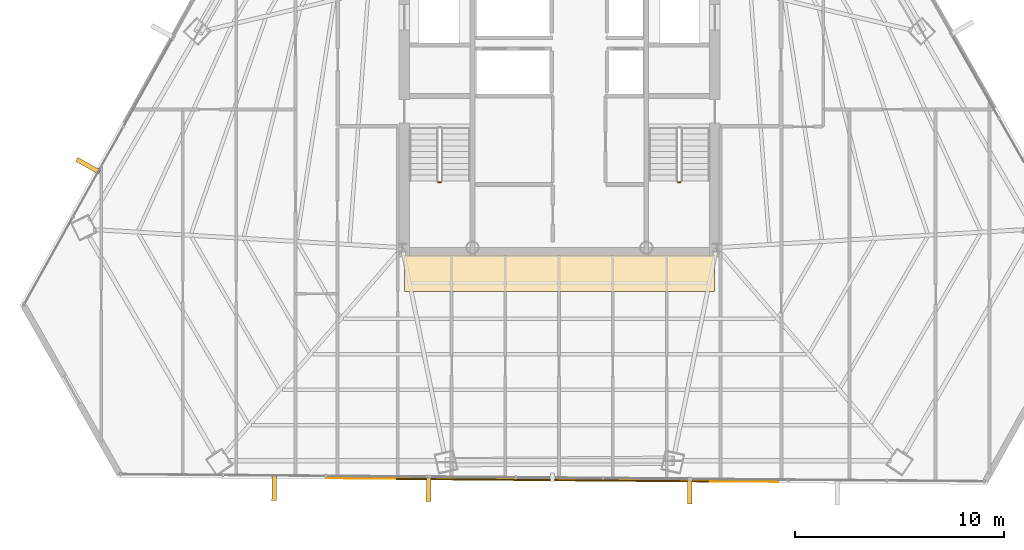
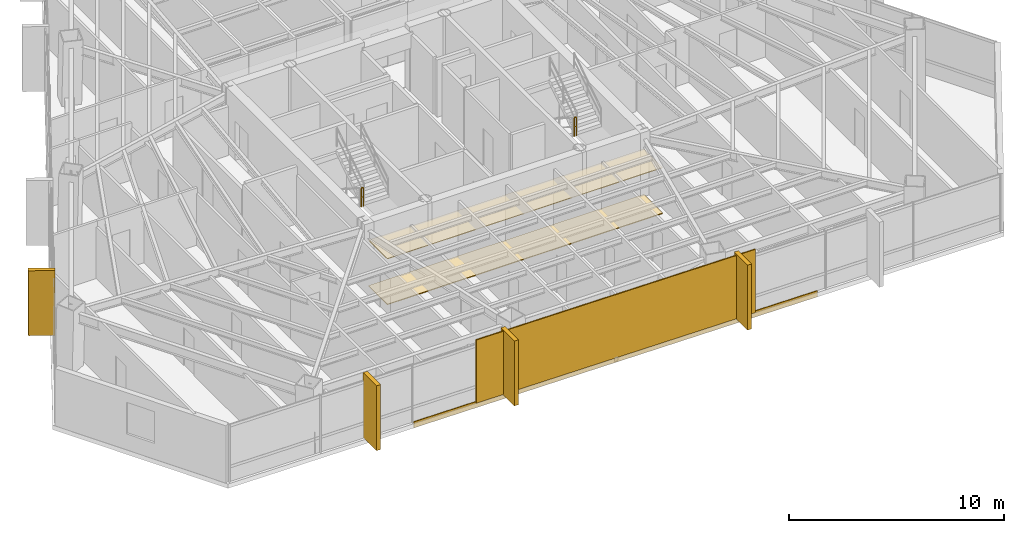
# One storey, part 38 of 40: 7 coverings, 2 railings, 1 shading device.
"""IFC4 building model written with IfcOpenShell, lengths in metres."""

from ifc_helpers import new_model, si_unit, direction, frame, origin, origin_2d, place, context, subcontext, project, spatial, polyline, rectangle, outline, extrude, source, transform, mapped, material, layer, layer_set, type_object, type_shapes, element, save


model = new_model("IFC4")

# Units and contexts
model_context = context("Model", 3, precision=1e-05, world=origin(), true_north=direction((0.0, 1.0)))
body_context = subcontext(model_context, "Body", "Model", "MODEL_VIEW")
ifc_project = project(units=[si_unit("LENGTHUNIT", "METRE"), si_unit("AREAUNIT", "SQUARE_METRE"), si_unit("VOLUMEUNIT", "CUBIC_METRE"), si_unit("PLANEANGLEUNIT", "RADIAN"), si_unit("MASSUNIT", "GRAM", prefix="KILO")], contexts=[model_context])

# Site, building, storey
site_placement = place(None, origin())
site = spatial("IfcSite", under=ifc_project, at=site_placement, CompositionType="ELEMENT")
building_placement = place(site_placement, origin())
building = spatial("IfcBuilding", under=site, at=building_placement, Name="Caelisora Broadcast Tower", CompositionType="ELEMENT")
storey_placement = place(building_placement, frame((0.0, 0.0, 146.39990234375)))
storey = spatial("IfcBuildingStorey", under=building, at=storey_placement, Name="L38", CompositionType="ELEMENT", Elevation=146.39990234375)

# Coverings
ifc_material_1 = material(Name="Perforated Mineral-Fibre Acoustic Ceiling Tile", Category="gypsum")
ifc_layer_1 = layer(ifc_material_1, 0.034912109375, Name="Perforated Mineral-Fibre Acoustic Ceiling Tile")
ifc_layer_set_1 = layer_set([ifc_layer_1], Name="Perforated Mineral-Fibre Acoustic Ceiling Tile")
covering_type_1 = type_object("IfcCoveringType", Name="CE-1", PredefinedType="CEILING", material=ifc_layer_set_1)
covering_1_placement = place(storey_placement, frame((0.0, 0.0, 2.60009765625)))
element("IfcCovering", 1, at=covering_1_placement, inside=storey, type_object=covering_type_1, Name="L38 acoustic corridor ceiling CE-1 (S)", PredefinedType="CEILING", context=body_context, shape_type="SweptSolid", body=[
    extrude(outline(polyline([(30.60009765625, 15.300048828125), (45.39990234375, 15.300048828125), (45.39990234375, 17.050048828125), (30.60009765625, 17.050048828125), (30.60009765625, 15.300048828125)])), origin(), (0.0, 0.0, 1.0), 0.034912109375),
])
ifc_material_2 = material(Name="Anti-Static Broadcast Raised Access Floor Panel", Category="steel")
ifc_layer_2 = layer(ifc_material_2, 0.044921875, Name="Anti-Static Broadcast Raised Access Floor Panel")
ifc_layer_set_2 = layer_set([ifc_layer_2], Name="Anti-Static Broadcast Raised Access Floor Panel")
covering_type_2 = type_object("IfcCoveringType", Name="FL-1", PredefinedType="FLOORING", material=ifc_layer_set_2)
covering_2_placement = place(storey_placement, origin())
element("IfcCovering", 2, at=covering_2_placement, inside=storey, type_object=covering_type_2, Name="L38 broadcast raised access floor FL-1 (S)", PredefinedType="FLOORING", context=body_context, shape_type="SweptSolid", body=[
    extrude(outline(polyline([(30.60009765625, 15.300048828125), (45.39990234375, 15.300048828125), (45.39990234375, 17.050048828125), (30.60009765625, 17.050048828125), (30.60009765625, 15.300048828125)])), origin(), (0.0, 0.0, 1.0), 0.045166015625),
])

# Railings
ifc_material_3 = material(Name="Galvanised Steel Safety Guardrail", Category="steel")
ifc_layer_3 = layer(ifc_material_3, 0.048095703125, Name="Galvanised Steel Safety Guardrail")
ifc_layer_set_3 = layer_set([ifc_layer_3], Name="Galvanised Steel Safety Guardrail")
railing_type = type_object("IfcRailingType", Name="GR-1", PredefinedType="GUARDRAIL", material=ifc_layer_set_3)
for number, where, name in (
    (3, (32.219970703125, 20.530029296875, 1.8251953125), "L38 ST-1 stair guard 2"),
    (4, (43.659912109375, 20.530029296875, 1.8251953125), "L38 ST-2 stair guard 2"),
):
    element("IfcRailing", number, at=place(storey_placement, frame(where)), inside=storey, type_object=railing_type, Name=name, PredefinedType="GUARDRAIL", context=body_context, shape_type="SweptSolid", body=[
        extrude(rectangle(XDim=0.048095703125, YDim=0.048095703125, at=origin_2d()), frame((0.0, 0.0, 1.076171875), z_axis=(1.0, 0.0, 0.0), x_axis=(0.0, 1.0, 0.0)), (0.0, 0.0, 1.0), 0.1201171875),
        extrude(rectangle(XDim=0.03125, YDim=0.03125, at=origin_2d()), frame((0.0, 0.0, 0.550048828125), z_axis=(1.0, 0.0, 0.0), x_axis=(0.0, 1.0, 0.0)), (0.0, 0.0, 1.0), 0.1201171875),
        extrude(rectangle(XDim=0.0419921875, YDim=0.0419921875, at=origin_2d()), origin(), (0.0, 0.0, 1.0), 1.052001953125),
        extrude(rectangle(XDim=0.0419921875, YDim=0.0419921875, at=origin_2d()), frame((0.1201171875, 0.0, 0.0)), (0.0, 0.0, 1.0), 1.052001953125),
    ])

# Coverings
ifc_material_4 = material(Name="Kiln-Fired Terracotta Spandrel Rainscreen Cladding", Category="ceramic")
ifc_layer_4 = layer(ifc_material_4, 0.044921875, Name="Kiln-Fired Terracotta Spandrel Rainscreen Cladding")
ifc_layer_set_4 = layer_set([ifc_layer_4], Name="Kiln-Fired Terracotta Spandrel Rainscreen Cladding")
covering_type_3 = type_object("IfcCoveringType", Name="CL-1", PredefinedType="CLADDING", material=ifc_layer_set_4)
shared_shape_1 = source(origin(), body_context, "Body", "SweptSolid", [
    extrude(rectangle(XDim=0.219970703125, YDim=1.25, at=origin_2d()), origin(), (0.0, 0.0, 1.0), 3.68994140625),
])
for number, where, z_axis, x_axis, name in (
    (5, (44.224609375, 5.7958984375, -0.019775390625), (0.0, 0.0, 1.0), (-0.999966355195, 0.008202955488, 0.0), "L38 vertical solar fin cladding #2-2"),
    (6, (31.75390625, 5.898681640625, -0.019775390625), (0.0, 0.0, 1.0), (-0.999966355195, 0.008202955488, 0.0), "L38 vertical solar fin cladding #2-3"),
    (7, (24.379638671875, 5.959228515625, -0.019775390625), (0.0, 0.0, 1.0), (-0.999966355195, 0.008202955488, 0.0), "L38 vertical solar fin cladding #2-4"),
    (8, (15.50048828125, 21.310302734375, -0.019775390625), (0.0, 0.0, 1.0), (0.487707298065, 0.873007211547, 0.0), "L38 vertical solar fin cladding #3-1"),
):
    element("IfcCovering", number, at=place(storey_placement, frame(where, z_axis=z_axis, x_axis=x_axis)), inside=storey, type_object=covering_type_3, Name=name, PredefinedType="CLADDING", context=body_context, shape_type="MappedRepresentation", body=[
        mapped(shared_shape_1, transform((0.0, 0.0, 0.0), scale=1.0)),
    ])

# Shading device
ifc_material_5 = material(Name="Perforated Glazed Terracotta Baguette Solar Screen", Category="ceramic")
ifc_layer_5 = layer(ifc_material_5, 0.06494140625, Name="Perforated Glazed Terracotta Baguette Solar Screen")
ifc_layer_set_5 = layer_set([ifc_layer_5], Name="Perforated Glazed Terracotta Baguette Solar Screen")
shading_device_type = type_object("IfcShadingDeviceType", Name="SS-1", PredefinedType="USERDEFINED", material=ifc_layer_set_5)
shared_shape_2 = source(origin(), body_context, "Body", "SweptSolid", [
    extrude(rectangle(XDim=14.93896484375, YDim=0.06494140625, at=origin_2d()), origin(), (0.0, 0.0, 1.0), 3.590087890625),
])
type_shapes(shading_device_type, [shared_shape_2])
shading_device_placement = place(storey_placement, frame((37.67041015625, 6.300048828125, 0.0), z_axis=(0.0, 0.0, 1.0), x_axis=(0.999966355195, -0.008202955488, 0.0)))
element("IfcShadingDevice", 9, at=shading_device_placement, inside=storey, type_object=shading_device_type, Name="L38 perforated terracotta solar screen #2", ObjectType="SOLAR SCREEN", PredefinedType="USERDEFINED", context=body_context, shape_type="MappedRepresentation", body=[
    mapped(shared_shape_2, transform((0.0, 0.0, 0.0), scale=1.0)),
])

# Covering
shared_shape_3 = source(origin(), body_context, "Body", "SweptSolid", [
    extrude(rectangle(XDim=21.5791015625, YDim=0.044921875, at=origin_2d()), origin(), (0.0, 0.0, 1.0), 0.340087890625),
])
type_shapes(covering_type_3, [shared_shape_1, shared_shape_3])
covering_3_placement = place(storey_placement, frame((37.67041015625, 6.320068359375, -0.27001953125), z_axis=(0.0, 0.0, 1.0), x_axis=(0.999966355195, -0.008202955488, 0.0)))
element("IfcCovering", 10, at=covering_3_placement, inside=storey, type_object=covering_type_3, Name="L38 terracotta spandrel rainscreen #2", PredefinedType="CLADDING", context=body_context, shape_type="MappedRepresentation", body=[
    mapped(shared_shape_3, transform((0.0, 0.0, 0.0), scale=1.0)),
])

save(model, "model.ifc")
